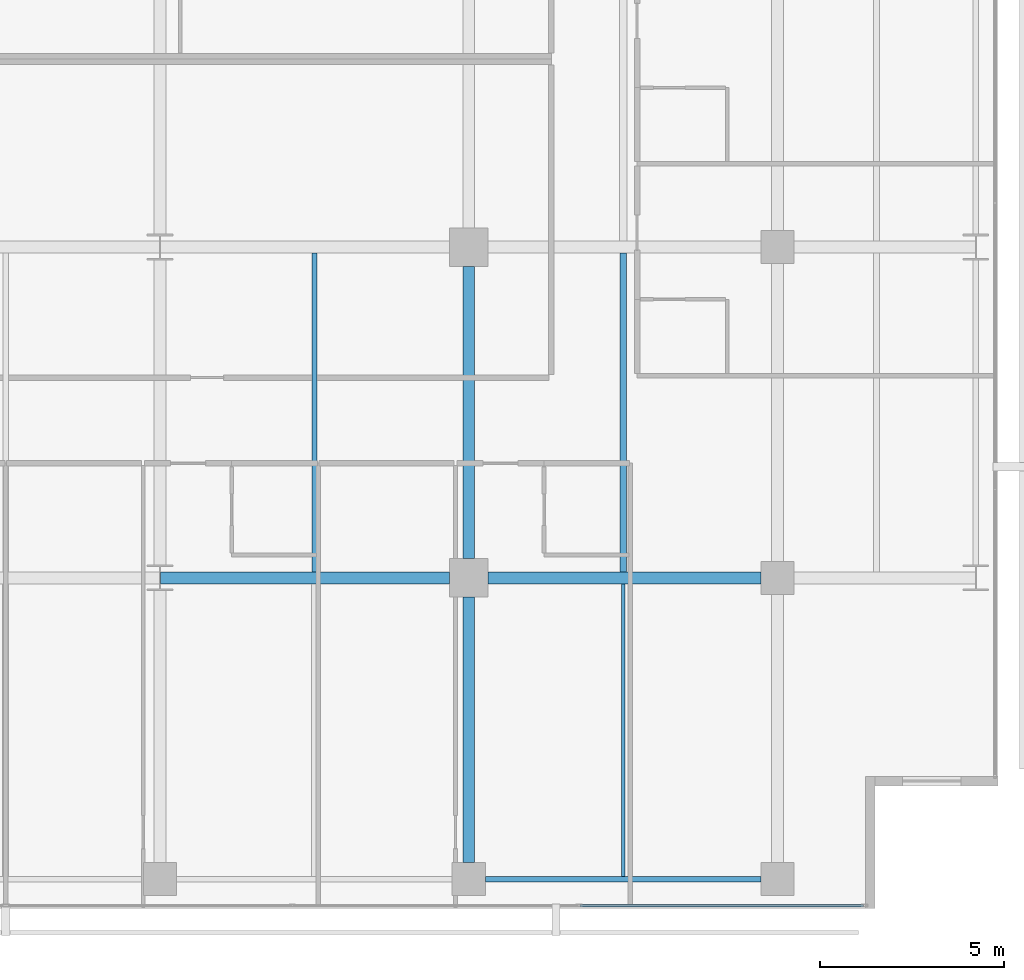
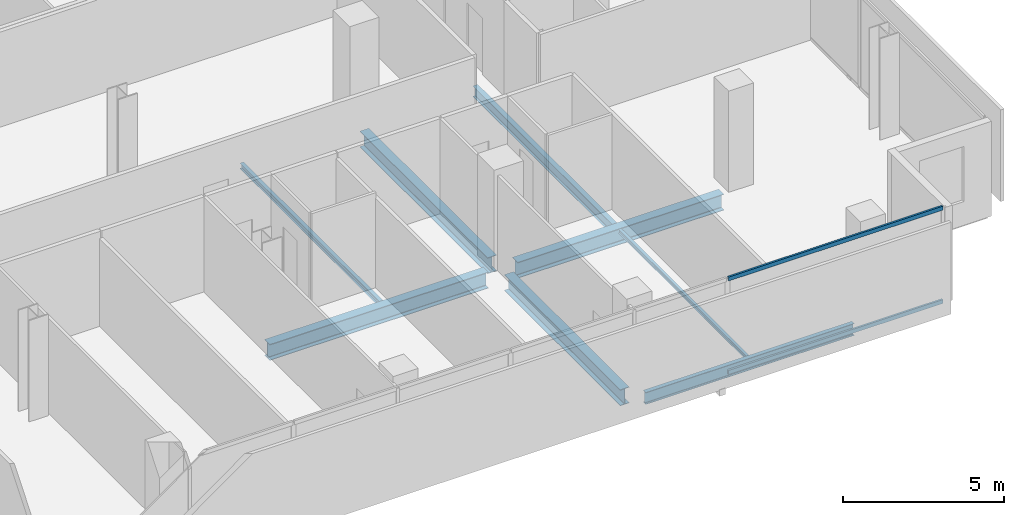
# One storey, part 15 of 40: 8 beams, 2 members, 1 element without a shape of its own.
"""IFC4 building model written with IfcOpenShell, lengths in metres."""

from ifc_helpers import new_model, si_unit, direction, frame, origin, origin_2d, place, context, subcontext, project, spatial, hollow_rectangle, i_section, extrude, material, layer, layer_set, material_profile, profile_set, type_object, element, aggregate, save


model = new_model("IFC4")

# Units and contexts
model_context = context("Model", 3, precision=1e-05, world=origin(), true_north=direction((0.0, 1.0)))
body_context = subcontext(model_context, "Body", "Model", "MODEL_VIEW")
ifc_project = project(units=[si_unit("LENGTHUNIT", "METRE"), si_unit("AREAUNIT", "SQUARE_METRE"), si_unit("VOLUMEUNIT", "CUBIC_METRE"), si_unit("PLANEANGLEUNIT", "RADIAN"), si_unit("MASSUNIT", "GRAM", prefix="KILO")], contexts=[model_context])

# Site, building, storey
site_placement = place(None, origin())
site = spatial("IfcSite", under=ifc_project, at=site_placement, CompositionType="ELEMENT")
building_placement = place(site_placement, origin())
building = spatial("IfcBuilding", under=site, at=building_placement, Name="Maruvema Waterfront Hotel and Observation Tower", CompositionType="ELEMENT")
storey_placement = place(building_placement, frame((0.0, 0.0, 96.25)))
storey = spatial("IfcBuildingStorey", under=building, at=storey_placement, Name="L23", CompositionType="ELEMENT", Elevation=96.25)

# Curtain wall, members
ifc_material_1 = material(Name="Anodised bronze aluminium and solar-control low-E IGU", Category="aluminium")
ifc_layer = layer(ifc_material_1, 0.159912109375, Name="Zone 1 Bronze Inner Thermal Curtain Wall System CW-02")
ifc_layer_set = layer_set([ifc_layer], Name="Anodised bronze aluminium and solar-control low-E IGU")
curtain_wall_type = type_object("IfcCurtainWallType", Name="Zone 1 Bronze Inner Thermal Curtain Wall System CW-02", PredefinedType="USERDEFINED", material=ifc_layer_set)
curtain_wall_placement = place(storey_placement, origin())
curtain_wall = element("IfcCurtainWall", 1, at=curtain_wall_placement, inside=storey, type_object=curtain_wall_type, Name="L23 Curtain Wall CW-L23-S", ObjectType="UNITISED CURTAIN WALL", PredefinedType="USERDEFINED")
ifc_material_2 = material(Name="Anodised architectural bronze aluminium", Category="aluminium")
ifc_material_profile_1 = material_profile(ifc_material_2, hollow_rectangle(XDim=0.070068359375, YDim=0.14990234375, WallThickness=0.00390625, at=origin_2d()), Name="ALU-T70x150")
ifc_profile_set_1 = profile_set([ifc_material_profile_1], Name="Anodised architectural bronze aluminium")
member_type = type_object("IfcMemberType", Name="Curtain Wall Horizontal Transom ALU-T70x150", PredefinedType="USERDEFINED", material=ifc_profile_set_1)
member_1_placement = place(storey_placement, frame((53.429931640625, 0.080078125, 0.030029296875), z_axis=(1.0, 0.0, 0.0), x_axis=(0.0, 1.0, 0.0)))
member_1 = element("IfcMember", 2, at=member_1_placement, type_object=member_type, Name="CW-02 transom 6.1", ObjectType="TRANSOM", PredefinedType="USERDEFINED", context=body_context, shape_type="SweptSolid", body=[
    extrude(hollow_rectangle(XDim=0.070068359375, YDim=0.14990234375, WallThickness=0.00390625, at=origin_2d()), origin(), (0.0, 0.0, 1.0), 7.7099609375),
])
member_2_placement = place(storey_placement, frame((53.429931640625, 0.080078125, 3.580078125), z_axis=(1.0, 0.0, 0.0), x_axis=(0.0, 1.0, 0.0)))
member_2 = element("IfcMember", 3, at=member_2_placement, type_object=member_type, Name="CW-02 transom 6.2", ObjectType="TRANSOM", PredefinedType="USERDEFINED", context=body_context, shape_type="SweptSolid", body=[
    extrude(hollow_rectangle(XDim=0.070068359375, YDim=0.14990234375, WallThickness=0.00390625, at=origin_2d()), origin(), (0.0, 0.0, 1.0), 7.7099609375),
])
aggregate(curtain_wall, [member_1, member_2])

# Beams
ifc_material_3 = material(Name="Steel ASTM A572 Grade 50", Category="steel")
ifc_material_profile_2 = material_profile(ifc_material_3, i_section(OverallWidth=0.153076171875, OverallDepth=0.455078125, WebThickness=0.008056640625, FlangeThickness=0.01318359375, FilletRadius=0.014892578125, at=origin_2d()), Name="W460x60.0")
ifc_profile_set_2 = profile_set([ifc_material_profile_2], Name="Steel ASTM A572 Grade 50")
beam_type_1 = type_object("IfcBeamType", Name="Perimeter Spandrel Beam W460x60.0", PredefinedType="SPANDREL", material=ifc_profile_set_2)
beam_1_placement = place(storey_placement, frame((50.85009765625, 0.800048828125, -0.467529296875), z_axis=(1.0, 0.0, 0.0), x_axis=(0.0, 1.0, 0.0)))
element("IfcBeam", 4, at=beam_1_placement, inside=storey, type_object=beam_type_1, Name="L23 Floor Girder EW-05", PredefinedType="SPANDREL", context=body_context, shape_type="SweptSolid", body=[
    extrude(i_section(OverallWidth=0.153076171875, OverallDepth=0.455078125, WebThickness=0.008056640625, FlangeThickness=0.01318359375, FilletRadius=0.014892578125, at=origin_2d()), origin(), (0.0, 0.0, 1.0), 7.5),
])
ifc_material_4 = material(Name="Steel ASTM A572 Grade 50", Category="steel")
ifc_material_profile_3 = material_profile(ifc_material_4, i_section(OverallWidth=0.323974609375, OverallDepth=0.611083984375, WebThickness=0.0126953125, FlangeThickness=0.01904296875, FilletRadius=0.01806640625, at=origin_2d()), Name="W610x155.0")
ifc_profile_set_3 = profile_set([ifc_material_profile_3], Name="Steel ASTM A572 Grade 50")
beam_type_2 = type_object("IfcBeamType", Name="Primary Floor Girder W610x155.0", PredefinedType="BEAM", material=ifc_profile_set_3)
beam_2_placement = place(storey_placement, frame((42.013916015625, 9.0, -0.54541015625), z_axis=(1.0, 0.0, 0.0), x_axis=(0.0, 1.0, 0.0)))
element("IfcBeam", 5, at=beam_2_placement, inside=storey, type_object=beam_type_2, Name="L23 Floor Girder EW-10", PredefinedType="BEAM", context=body_context, shape_type="SweptSolid", body=[
    extrude(i_section(OverallWidth=0.323974609375, OverallDepth=0.611083984375, WebThickness=0.0126953125, FlangeThickness=0.01904296875, FilletRadius=0.01806640625, at=origin_2d()), origin(), (0.0, 0.0, 1.0), 7.861083984375),
])
beam_3_placement = place(storey_placement, frame((50.925048828125, 9.0, -0.54541015625), z_axis=(1.0, 0.0, 0.0), x_axis=(0.0, 1.0, 0.0)))
element("IfcBeam", 6, at=beam_3_placement, inside=storey, type_object=beam_type_2, Name="L23 Floor Girder EW-11", PredefinedType="BEAM", context=body_context, shape_type="SweptSolid", body=[
    extrude(i_section(OverallWidth=0.323974609375, OverallDepth=0.611083984375, WebThickness=0.0126953125, FlangeThickness=0.01904296875, FilletRadius=0.01806640625, at=origin_2d()), origin(), (0.0, 0.0, 1.0), 7.425048828125),
])
beam_4_placement = place(storey_placement, frame((50.39990234375, 1.25, -0.54541015625), z_axis=(0.0, 1.0, 0.0), x_axis=(-1.0, 0.0, 0.0)))
element("IfcBeam", 7, at=beam_4_placement, inside=storey, type_object=beam_type_2, Name="L23 Floor Girder NS-22", PredefinedType="BEAM", context=body_context, shape_type="SweptSolid", body=[
    extrude(i_section(OverallWidth=0.323974609375, OverallDepth=0.611083984375, WebThickness=0.0126953125, FlangeThickness=0.01904296875, FilletRadius=0.01806640625, at=origin_2d()), origin(), (0.0, 0.0, 1.0), 7.22509765625),
])
beam_5_placement = place(storey_placement, frame((50.39990234375, 9.52490234375, -0.54541015625), z_axis=(0.0, 1.0, 0.0), x_axis=(-1.0, 0.0, 0.0)))
element("IfcBeam", 8, at=beam_5_placement, inside=storey, type_object=beam_type_2, Name="L23 Floor Girder NS-23", PredefinedType="BEAM", context=body_context, shape_type="SweptSolid", body=[
    extrude(i_section(OverallWidth=0.323974609375, OverallDepth=0.611083984375, WebThickness=0.0126953125, FlangeThickness=0.01904296875, FilletRadius=0.01806640625, at=origin_2d()), origin(), (0.0, 0.0, 1.0), 7.9501953125),
])
ifc_material_5 = material(Name="Steel ASTM A572 Grade 50", Category="steel")
ifc_material_profile_4 = material_profile(ifc_material_5, i_section(OverallWidth=0.10009765625, OverallDepth=0.153076171875, WebThickness=0.005859375, FlangeThickness=0.007080078125, FilletRadius=0.008056640625, at=origin_2d()), Name="W150x18.0")
ifc_profile_set_4 = profile_set([ifc_material_profile_4], Name="Steel ASTM A572 Grade 50")
beam_type_3 = type_object("IfcBeamType", Name="Secondary Floor Joist W150x18.0", PredefinedType="JOIST", material=ifc_profile_set_4)
beam_6_placement = place(storey_placement, frame((54.60009765625, 0.87646484375, -0.31640625), z_axis=(0.0, 1.0, 0.0), x_axis=(-1.0, 0.0, 0.0)))
element("IfcBeam", 9, at=beam_6_placement, inside=storey, type_object=beam_type_3, Name="L23 Secondary Floor Joist JS-16", PredefinedType="JOIST", context=body_context, shape_type="SweptSolid", body=[
    extrude(i_section(OverallWidth=0.10009765625, OverallDepth=0.153076171875, WebThickness=0.005859375, FlangeThickness=0.007080078125, FilletRadius=0.008056640625, at=origin_2d()), origin(), (0.0, 0.0, 1.0), 7.96142578125),
])
ifc_material_6 = material(Name="Steel ASTM A572 Grade 50", Category="steel")
ifc_material_profile_5 = material_profile(ifc_material_6, i_section(OverallWidth=0.133056640625, OverallDepth=0.20703125, WebThickness=0.005859375, FlangeThickness=0.00830078125, FilletRadius=0.010009765625, at=origin_2d()), Name="W200x26.6")
ifc_profile_set_5 = profile_set([ifc_material_profile_5], Name="Steel ASTM A572 Grade 50")
beam_type_4 = type_object("IfcBeamType", Name="Secondary Floor Joist W200x26.6", PredefinedType="JOIST", material=ifc_profile_set_5)
beam_7_placement = place(storey_placement, frame((46.199951171875, 9.162109375, -0.343505859375), z_axis=(0.0, 1.0, 0.0), x_axis=(-1.0, 0.0, 0.0)))
element("IfcBeam", 10, at=beam_7_placement, inside=storey, type_object=beam_type_4, Name="L23 Secondary Floor Joist JS-15", PredefinedType="JOIST", context=body_context, shape_type="SweptSolid", body=[
    extrude(i_section(OverallWidth=0.133056640625, OverallDepth=0.20703125, WebThickness=0.005859375, FlangeThickness=0.00830078125, FilletRadius=0.010009765625, at=origin_2d()), origin(), (0.0, 0.0, 1.0), 8.67578125),
])
ifc_material_7 = material(Name="Steel ASTM A572 Grade 50", Category="steel")
ifc_material_profile_6 = material_profile(ifc_material_7, i_section(OverallWidth=0.177001953125, OverallDepth=0.403076171875, WebThickness=0.007568359375, FlangeThickness=0.010986328125, FilletRadius=0.014892578125, at=origin_2d()), Name="W410x53.0")
ifc_profile_set_6 = profile_set([ifc_material_profile_6], Name="Steel ASTM A572 Grade 50")
beam_type_5 = type_object("IfcBeamType", Name="Secondary Floor Joist W410x53.0", PredefinedType="JOIST", material=ifc_profile_set_6)
beam_8_placement = place(storey_placement, frame((54.60009765625, 9.162109375, -0.44140625), z_axis=(0.0, 1.0, 0.0), x_axis=(-1.0, 0.0, 0.0)))
element("IfcBeam", 11, at=beam_8_placement, inside=storey, type_object=beam_type_5, Name="L23 Secondary Floor Joist JS-17", PredefinedType="JOIST", context=body_context, shape_type="SweptSolid", body=[
    extrude(i_section(OverallWidth=0.177001953125, OverallDepth=0.403076171875, WebThickness=0.007568359375, FlangeThickness=0.010986328125, FilletRadius=0.014892578125, at=origin_2d()), origin(), (0.0, 0.0, 1.0), 8.67578125),
])

save(model, "model.ifc")
